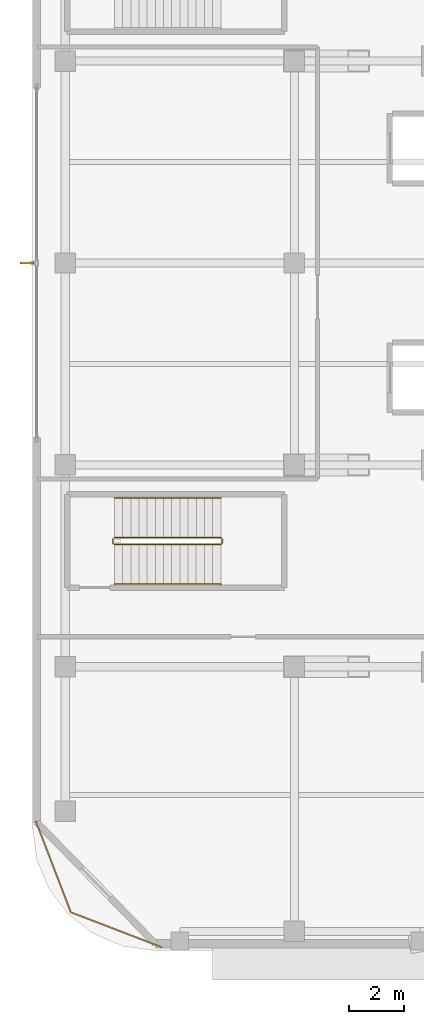
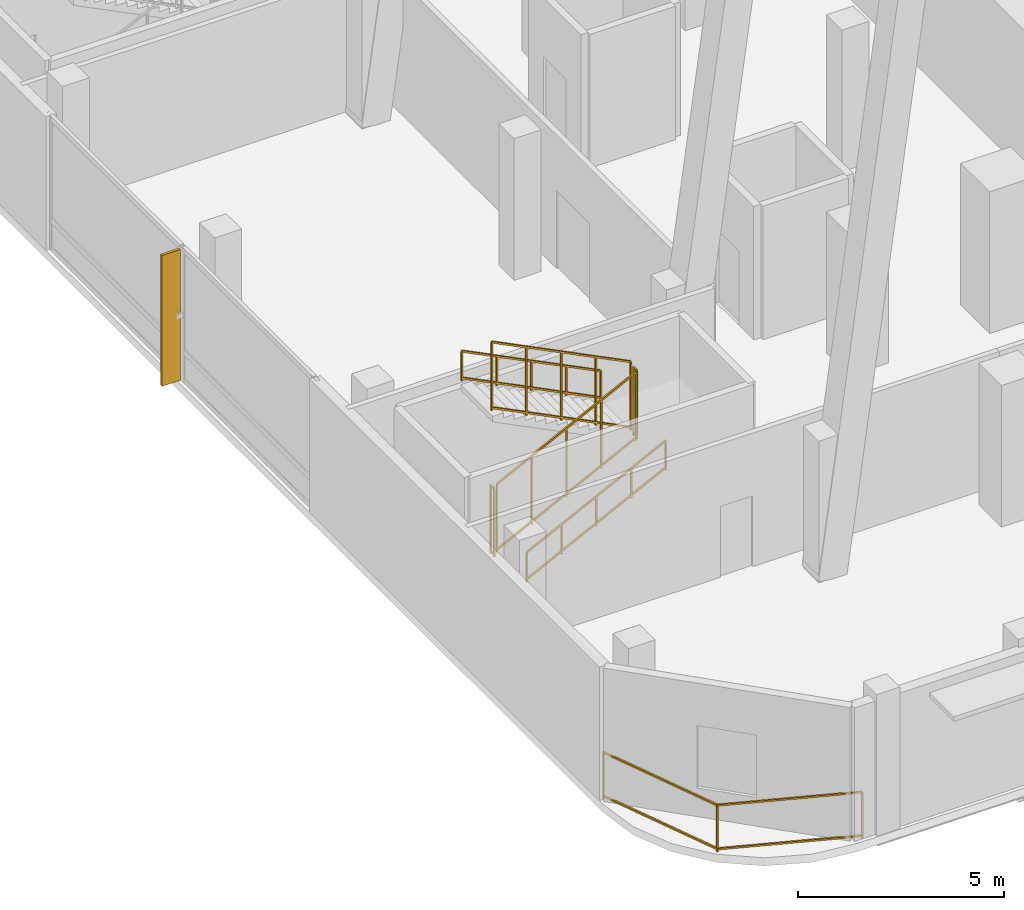
# One storey, part 17 of 23: 7 railings, 1 shading device.
"""IFC4 building model written with IfcOpenShell, lengths in metres."""

from ifc_helpers import new_model, si_unit, direction, frame, origin, origin_2d, place, context, subcontext, project, spatial, rectangle, extrude, material, layer, layer_set, type_object, element, save


model = new_model("IFC4")

# Units and contexts
model_context = context("Model", 3, precision=1e-05, world=origin(), true_north=direction((0.0, 1.0)))
body_context = subcontext(model_context, "Body", "Model", "MODEL_VIEW")
ifc_project = project(units=[si_unit("LENGTHUNIT", "METRE"), si_unit("AREAUNIT", "SQUARE_METRE"), si_unit("VOLUMEUNIT", "CUBIC_METRE"), si_unit("PLANEANGLEUNIT", "RADIAN"), si_unit("MASSUNIT", "GRAM", prefix="KILO")], contexts=[model_context])

# Site, building, storey
site_placement = place(None, origin())
site = spatial("IfcSite", under=ifc_project, at=site_placement, CompositionType="ELEMENT")
building_placement = place(site_placement, origin())
building = spatial("IfcBuilding", under=site, at=building_placement, Name="Khorvyn Point Tower", CompositionType="ELEMENT")
storey_placement = place(building_placement, frame((0.0, 0.0, 9.0)))
storey = spatial("IfcBuildingStorey", under=building, at=storey_placement, Name="L03", CompositionType="ELEMENT", Elevation=9.0)

# Shading device
ifc_material_1 = material(Name="Bronze anodised aluminium 6063-T6", Category="aluminium")
ifc_layer = layer(ifc_material_1, 0.074951171875)
ifc_layer_set = layer_set([ifc_layer], Name="Bronze Anodised Aluminium FIN 520x75")
shading_device_type = type_object("IfcShadingDeviceType", Name="Bronze Anodised Aluminium FIN 520x75", PredefinedType="USERDEFINED", material=ifc_layer_set)
shading_device_placement = place(storey_placement, frame((-33.800048828125, 0.0, 0.0400390625), z_axis=(0.0, 0.0, 1.0), x_axis=(-1.0, 0.0, 0.0)))
element("IfcShadingDevice", 1, at=shading_device_placement, inside=storey, type_object=shading_device_type, Name="L03 Anodised FIN 01", ObjectType="FIN", PredefinedType="USERDEFINED", context=body_context, shape_type="SweptSolid", body=[
    extrude(rectangle(XDim=0.52001953125, YDim=0.074951171875, at=origin_2d()), origin(), (0.0, 0.0, 1.0), 3.8798828125),
])

# Railings
ifc_material_2 = material(Name="Anodised aluminium 6063-T6 and laminated safety glass", Category="aluminium")
railing_type_1 = type_object("IfcRailingType", Name="Laminated Glass and Aluminium Balcony Guardrail 1400", PredefinedType="BALUSTRADE", material=ifc_material_2)
railing_1_placement = place(storey_placement, frame((-33.47412109375, -20.470703125, 0.0)))
element("IfcRailing", 2, at=railing_1_placement, inside=storey, type_object=railing_type_1, Name="L03 Rounded Corner Edge Guardrail SW", PredefinedType="BALUSTRADE", context=body_context, shape_type="SweptSolid", body=[
    extrude(rectangle(XDim=0.048095703125, YDim=0.048095703125, at=origin_2d()), frame((0.0, 0.0, 1.3759765625), z_axis=(0.35841886047, -0.933560882031, 0.0), x_axis=(0.933560882031, 0.35841886047, 0.0)), (0.0, 0.0, 1.0), 3.563232421875),
    extrude(rectangle(XDim=0.048095703125, YDim=0.048095703125, at=origin_2d()), frame((0.0, 0.0, 0.080078125), z_axis=(0.35841886047, -0.933560882031, 0.0), x_axis=(0.933560882031, 0.35841886047, 0.0)), (0.0, 0.0, 1.0), 3.563232421875),
    extrude(rectangle(XDim=0.048095703125, YDim=0.048095703125, at=origin_2d()), frame((1.277099609375, -3.326416015625, 1.3759765625), z_axis=(0.933575007025, -0.358382067435, 0.0), x_axis=(0.358382067435, 0.933575007025, 0.0)), (0.0, 0.0, 1.0), 3.562744140625),
    extrude(rectangle(XDim=0.048095703125, YDim=0.048095703125, at=origin_2d()), frame((1.277099609375, -3.326416015625, 0.080078125), z_axis=(0.933575007025, -0.358382067435, 0.0), x_axis=(0.358382067435, 0.933575007025, 0.0)), (0.0, 0.0, 1.0), 3.562744140625),
    extrude(rectangle(XDim=0.0419921875, YDim=0.0419921875, at=origin_2d()), origin(), (0.0, 0.0, 1.0), 1.351806640625),
    extrude(rectangle(XDim=0.0419921875, YDim=0.0419921875, at=origin_2d()), frame((1.277099609375, -3.326416015625, 0.0)), (0.0, 0.0, 1.0), 1.351806640625),
    extrude(rectangle(XDim=0.0419921875, YDim=0.0419921875, at=origin_2d()), frame((4.603271484375, -4.603271484375, 0.0)), (0.0, 0.0, 1.0), 1.351806640625),
])
ifc_material_3 = material(Name="Stainless steel 1.4301", Category="steel")
railing_type_2 = type_object("IfcRailingType", Name="Stainless Steel 304 Stair Pitch Handrail 900", PredefinedType="HANDRAIL", material=ifc_material_3)
railing_2_placement = place(storey_placement, frame((-30.60009765625, -11.77001953125, 0.14990234375)))
element("IfcRailing", 3, at=railing_2_placement, inside=storey, type_object=railing_type_2, Name="L03 ST-S1 stair handrail 1", PredefinedType="HANDRAIL", context=body_context, shape_type="SweptSolid", body=[
    extrude(rectangle(XDim=0.048095703125, YDim=0.048095703125, at=origin_2d()), frame((0.0, 0.0, 0.8759765625), z_axis=(0.894415993023, 0.0, 0.447235990752), x_axis=(0.0, 1.0, 0.0)), (0.0, 0.0, 1.0), 4.360595703125),
    extrude(rectangle(XDim=0.048095703125, YDim=0.048095703125, at=origin_2d()), frame((0.0, 0.0, 0.080078125), z_axis=(0.894415993023, 0.0, 0.447235990752), x_axis=(0.0, 1.0, 0.0)), (0.0, 0.0, 1.0), 4.360595703125),
    extrude(rectangle(XDim=0.0419921875, YDim=0.0419921875, at=origin_2d()), origin(), (0.0, 0.0, 1.0), 0.851806640625),
    extrude(rectangle(XDim=0.0419921875, YDim=0.0419921875, at=origin_2d()), frame((0.97509765625, 0.0, 0.487548828125)), (0.0, 0.0, 1.0), 0.851806640625),
    extrude(rectangle(XDim=0.0419921875, YDim=0.0419921875, at=origin_2d()), frame((1.9501953125, 0.0, 0.97509765625)), (0.0, 0.0, 1.0), 0.851806640625),
    extrude(rectangle(XDim=0.0419921875, YDim=0.0419921875, at=origin_2d()), frame((2.925048828125, 0.0, 1.462646484375)), (0.0, 0.0, 1.0), 0.851806640625),
    extrude(rectangle(XDim=0.0419921875, YDim=0.0419921875, at=origin_2d()), frame((3.900146484375, 0.0, 1.9501953125)), (0.0, 0.0, 1.0), 0.851806640625),
])
railing_3_placement = place(storey_placement, frame((-26.699951171875, -8.610107421875, 2.25)))
element("IfcRailing", 4, at=railing_3_placement, inside=storey, type_object=railing_type_2, Name="L03 ST-S1 stair handrail 2", PredefinedType="HANDRAIL", context=body_context, shape_type="SweptSolid", body=[
    extrude(rectangle(XDim=0.048095703125, YDim=0.048095703125, at=origin_2d()), frame((0.0, 0.0, 0.8759765625), z_axis=(-0.894438388696, 0.0, 0.447191199406), x_axis=(0.0, -1.0, 0.0)), (0.0, 0.0, 1.0), 4.3603515625),
    extrude(rectangle(XDim=0.048095703125, YDim=0.048095703125, at=origin_2d()), frame((0.0, 0.0, 0.080078125), z_axis=(-0.894438388696, 0.0, 0.447191199406), x_axis=(0.0, -1.0, 0.0)), (0.0, 0.0, 1.0), 4.3603515625),
    extrude(rectangle(XDim=0.0419921875, YDim=0.0419921875, at=origin_2d()), origin(), (0.0, 0.0, 1.0), 0.851806640625),
    extrude(rectangle(XDim=0.0419921875, YDim=0.0419921875, at=origin_2d()), frame((-0.97509765625, 0.0, 0.487548828125)), (0.0, 0.0, 1.0), 0.851806640625),
    extrude(rectangle(XDim=0.0419921875, YDim=0.0419921875, at=origin_2d()), frame((-1.9501953125, 0.0, 0.97509765625)), (0.0, 0.0, 1.0), 0.851806640625),
    extrude(rectangle(XDim=0.0419921875, YDim=0.0419921875, at=origin_2d()), frame((-2.925048828125, 0.0, 1.46240234375)), (0.0, 0.0, 1.0), 0.851806640625),
    extrude(rectangle(XDim=0.0419921875, YDim=0.0419921875, at=origin_2d()), frame((-3.900146484375, 0.0, 1.949951171875)), (0.0, 0.0, 1.0), 0.851806640625),
])
railing_type_3 = type_object("IfcRailingType", Name="Stainless Steel 304 Stair Well Guardrail 1400", PredefinedType="GUARDRAIL", material=ifc_material_3)
railing_4_placement = place(storey_placement, frame((-30.60009765625, -10.320068359375, 0.14990234375)))
element("IfcRailing", 5, at=railing_4_placement, inside=storey, type_object=railing_type_3, Name="L03 ST-S1 stair guard 1", PredefinedType="GUARDRAIL", context=body_context, shape_type="SweptSolid", body=[
    extrude(rectangle(XDim=0.048095703125, YDim=0.048095703125, at=origin_2d()), frame((0.0, 0.0, 2.02587890625), z_axis=(0.894415993023, 0.0, 0.447235990752), x_axis=(0.0, 1.0, 0.0)), (0.0, 0.0, 1.0), 4.360595703125),
    extrude(rectangle(XDim=0.048095703125, YDim=0.048095703125, at=origin_2d()), frame((0.0, 0.0, 0.080078125), z_axis=(0.894415993023, 0.0, 0.447235990752), x_axis=(0.0, 1.0, 0.0)), (0.0, 0.0, 1.0), 4.360595703125),
    extrude(rectangle(XDim=0.0419921875, YDim=0.0419921875, at=origin_2d()), origin(), (0.0, 0.0, 1.0), 2.001953125),
    extrude(rectangle(XDim=0.0419921875, YDim=0.0419921875, at=origin_2d()), frame((0.97509765625, 0.0, 0.487548828125)), (0.0, 0.0, 1.0), 2.001953125),
    extrude(rectangle(XDim=0.0419921875, YDim=0.0419921875, at=origin_2d()), frame((1.9501953125, 0.0, 0.97509765625)), (0.0, 0.0, 1.0), 2.001953125),
    extrude(rectangle(XDim=0.0419921875, YDim=0.0419921875, at=origin_2d()), frame((2.925048828125, 0.0, 1.462646484375)), (0.0, 0.0, 1.0), 2.001953125),
    extrude(rectangle(XDim=0.0419921875, YDim=0.0419921875, at=origin_2d()), frame((3.900146484375, 0.0, 1.9501953125)), (0.0, 0.0, 1.0), 2.001953125),
])
railing_5_placement = place(storey_placement, frame((-26.64990234375, -10.27001953125, 2.10009765625)))
element("IfcRailing", 6, at=railing_5_placement, inside=storey, type_object=railing_type_3, Name="L03 ST-S1 stair guard 2", PredefinedType="GUARDRAIL", context=body_context, shape_type="SweptSolid", body=[
    extrude(rectangle(XDim=0.048095703125, YDim=0.048095703125, at=origin_2d()), frame((0.0, 0.0, 2.02587890625), z_axis=(0.0, 1.0, 0.0), x_axis=(-1.0, 0.0, 0.0)), (0.0, 0.0, 1.0), 0.159912109375),
    extrude(rectangle(XDim=0.048095703125, YDim=0.048095703125, at=origin_2d()), frame((0.0, 0.0, 0.080078125), z_axis=(0.0, 1.0, 0.0), x_axis=(-1.0, 0.0, 0.0)), (0.0, 0.0, 1.0), 0.159912109375),
    extrude(rectangle(XDim=0.0419921875, YDim=0.0419921875, at=origin_2d()), origin(), (0.0, 0.0, 1.0), 2.001953125),
    extrude(rectangle(XDim=0.0419921875, YDim=0.0419921875, at=origin_2d()), frame((0.0, 0.159912109375, 0.0)), (0.0, 0.0, 1.0), 2.001953125),
])
railing_6_placement = place(storey_placement, frame((-26.699951171875, -10.06005859375, 2.25)))
element("IfcRailing", 7, at=railing_6_placement, inside=storey, type_object=railing_type_3, Name="L03 ST-S1 stair guard 3", PredefinedType="GUARDRAIL", context=body_context, shape_type="SweptSolid", body=[
    extrude(rectangle(XDim=0.048095703125, YDim=0.048095703125, at=origin_2d()), frame((0.0, 0.0, 2.02587890625), z_axis=(-0.894438388696, 0.0, 0.447191199406), x_axis=(0.0, -1.0, 0.0)), (0.0, 0.0, 1.0), 4.3603515625),
    extrude(rectangle(XDim=0.048095703125, YDim=0.048095703125, at=origin_2d()), frame((0.0, 0.0, 0.080078125), z_axis=(-0.894438388696, 0.0, 0.447191199406), x_axis=(0.0, -1.0, 0.0)), (0.0, 0.0, 1.0), 4.3603515625),
    extrude(rectangle(XDim=0.0419921875, YDim=0.0419921875, at=origin_2d()), origin(), (0.0, 0.0, 1.0), 2.001953125),
    extrude(rectangle(XDim=0.0419921875, YDim=0.0419921875, at=origin_2d()), frame((-0.97509765625, 0.0, 0.487548828125)), (0.0, 0.0, 1.0), 2.001953125),
    extrude(rectangle(XDim=0.0419921875, YDim=0.0419921875, at=origin_2d()), frame((-1.9501953125, 0.0, 0.97509765625)), (0.0, 0.0, 1.0), 2.001953125),
    extrude(rectangle(XDim=0.0419921875, YDim=0.0419921875, at=origin_2d()), frame((-2.925048828125, 0.0, 1.46240234375)), (0.0, 0.0, 1.0), 2.001953125),
    extrude(rectangle(XDim=0.0419921875, YDim=0.0419921875, at=origin_2d()), frame((-3.900146484375, 0.0, 1.949951171875)), (0.0, 0.0, 1.0), 2.001953125),
])
railing_7_placement = place(storey_placement, frame((-30.64990234375, -10.27001953125, 0.0)))
element("IfcRailing", 8, at=railing_7_placement, inside=storey, type_object=railing_type_3, Name="L03 ST-S1 stair guard 4", PredefinedType="GUARDRAIL", context=body_context, shape_type="SweptSolid", body=[
    extrude(rectangle(XDim=0.048095703125, YDim=0.048095703125, at=origin_2d()), frame((0.0, 0.0, 2.02587890625), z_axis=(0.0, 1.0, 0.0), x_axis=(-1.0, 0.0, 0.0)), (0.0, 0.0, 1.0), 0.159912109375),
    extrude(rectangle(XDim=0.048095703125, YDim=0.048095703125, at=origin_2d()), frame((0.0, 0.0, 0.080078125), z_axis=(0.0, 1.0, 0.0), x_axis=(-1.0, 0.0, 0.0)), (0.0, 0.0, 1.0), 0.159912109375),
    extrude(rectangle(XDim=0.0419921875, YDim=0.0419921875, at=origin_2d()), origin(), (0.0, 0.0, 1.0), 2.001953125),
    extrude(rectangle(XDim=0.0419921875, YDim=0.0419921875, at=origin_2d()), frame((0.0, 0.159912109375, 0.0)), (0.0, 0.0, 1.0), 2.001953125),
])

save(model, "model.ifc")
